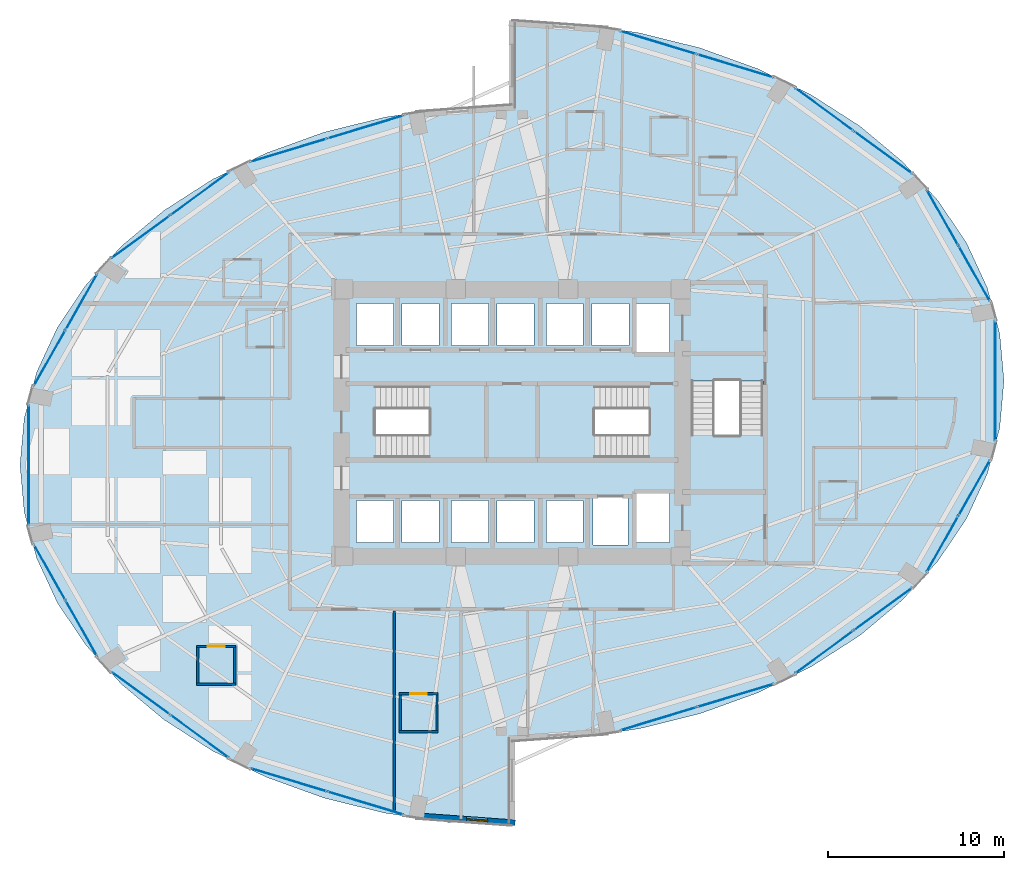
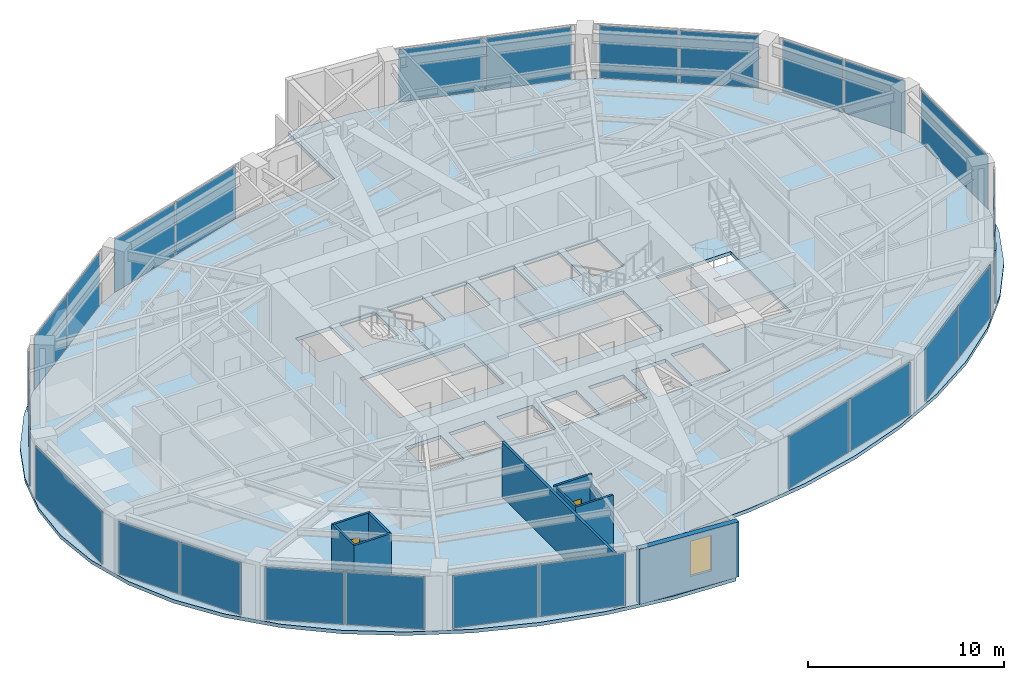
# One storey, part 19 of 25: 26 plates, 10 walls, 4 slabs, 2 doors, 1 window, 3 openings, 17 elements without a shape of their own.
"""IFC4 building model written with IfcOpenShell, lengths in metres."""

from ifc_helpers import new_model, si_unit, direction, frame, frame_2d, origin, origin_2d, place, context, subcontext, project, spatial, polyline, rectangle, outline, extrude, material, layer, layer_set, type_object, element, fill, aggregate, save


model = new_model("IFC4")

# Units and contexts
model_context = context("Model", 3, precision=1e-05, world=origin(), true_north=direction((0.0, 1.0)))
body_context = subcontext(model_context, "Body", "Model", "MODEL_VIEW")
ifc_project = project(units=[si_unit("LENGTHUNIT", "METRE"), si_unit("AREAUNIT", "SQUARE_METRE"), si_unit("VOLUMEUNIT", "CUBIC_METRE"), si_unit("PLANEANGLEUNIT", "RADIAN"), si_unit("MASSUNIT", "GRAM", prefix="KILO")], contexts=[model_context])

# Site, building, storey
site_placement = place(None, origin())
site = spatial("IfcSite", under=ifc_project, at=site_placement, CompositionType="ELEMENT")
building_placement = place(site_placement, origin())
building = spatial("IfcBuilding", under=site, at=building_placement, Name="Lazwardi Medical Tower", CompositionType="ELEMENT")
storey_placement = place(building_placement, frame((0.0, 0.0, 28.847900390625)))
storey = spatial("IfcBuildingStorey", under=building, at=storey_placement, Name="L06", CompositionType="ELEMENT", Elevation=28.847900390625)

# Curtain wall, plates
ifc_material_1 = material(Name="Anodised bronze aluminium and solar control glazing", Category="aluminium")
ifc_layer_1 = layer(ifc_material_1, 0.199951171875)
ifc_layer_set_1 = layer_set([ifc_layer_1], Name="Anodised bronze aluminium and solar control glazing")
curtain_wall_type = type_object("IfcCurtainWallType", Name="CW-SYS-02", PredefinedType="NOTDEFINED", material=ifc_layer_set_1)
curtain_wall_1_placement = place(storey_placement, origin())
curtain_wall_1 = element("IfcCurtainWall", 1, at=curtain_wall_1_placement, inside=storey, type_object=curtain_wall_type, Name="L06 Unitised bronze curtain wall CW-02", PredefinedType="NOTDEFINED")
ifc_material_2 = material(Name="Low-e bronze solar control double glazing", Category="glass")
ifc_layer_2 = layer(ifc_material_2, 0.035888671875)
ifc_layer_set_2 = layer_set([ifc_layer_2], Name="Low-e bronze solar control double glazing")
plate_type = type_object("IfcPlateType", Name="PLT-GLZ-01", PredefinedType="CURTAIN_PANEL", material=ifc_layer_set_2)
plate_1_placement = place(storey_placement, frame((44.335693359375, 11.158935546875, 0.0751953125), z_axis=(0.0, 0.0, 1.0), x_axis=(0.957058247129, 0.2898956909, 0.0)))
plate_1 = element("IfcPlate", 2, at=plate_1_placement, type_object=plate_type, Name="CW-02 panel 1.1", PredefinedType="CURTAIN_PANEL", context=body_context, shape_type="SweptSolid", body=[
    extrude(rectangle(XDim=4.49658203125, YDim=0.035888671875, at=origin_2d()), origin(), (0.0, 0.0, 1.0), 3.278076171875),
])
plate_2_placement = place(storey_placement, frame((48.7109375, 12.484130859375, 0.0751953125), z_axis=(0.0, 0.0, 1.0), x_axis=(0.957058247129, 0.2898956909, 0.0)))
plate_2 = element("IfcPlate", 3, at=plate_2_placement, type_object=plate_type, Name="CW-02 panel 2.1", PredefinedType="CURTAIN_PANEL", context=body_context, shape_type="SweptSolid", body=[
    extrude(rectangle(XDim=4.49658203125, YDim=0.035888671875, at=origin_2d()), origin(), (0.0, 0.0, 1.0), 3.278076171875),
])
aggregate(curtain_wall_1, [plate_1, plate_2])

curtain_wall_2_placement = place(storey_placement, origin())
curtain_wall_2 = element("IfcCurtainWall", 4, at=curtain_wall_2_placement, inside=storey, type_object=curtain_wall_type, Name="L06 Unitised bronze curtain wall CW-02", PredefinedType="NOTDEFINED")
plate_3_placement = place(storey_placement, frame((53.771484375, 14.957275390625, 0.0751953125), z_axis=(0.0, 0.0, 1.0), x_axis=(0.807191757663, 0.590289307341, 0.0)))
plate_3 = element("IfcPlate", 5, at=plate_3_placement, type_object=plate_type, Name="CW-02 panel 1.1", PredefinedType="CURTAIN_PANEL", context=body_context, shape_type="SweptSolid", body=[
    extrude(rectangle(XDim=4.070068359375, YDim=0.035888671875, at=origin_2d()), origin(), (0.0, 0.0, 1.0), 3.278076171875),
])
plate_4_placement = place(storey_placement, frame((57.117431640625, 17.404052734375, 0.0751953125), z_axis=(0.0, 0.0, 1.0), x_axis=(0.807191757663, 0.590289307341, 0.0)))
plate_4 = element("IfcPlate", 6, at=plate_4_placement, type_object=plate_type, Name="CW-02 panel 2.1", PredefinedType="CURTAIN_PANEL", context=body_context, shape_type="SweptSolid", body=[
    extrude(rectangle(XDim=4.070068359375, YDim=0.035888671875, at=origin_2d()), origin(), (0.0, 0.0, 1.0), 3.278076171875),
])
aggregate(curtain_wall_2, [plate_3, plate_4])

curtain_wall_3_placement = place(storey_placement, origin())
curtain_wall_3 = element("IfcCurtainWall", 7, at=curtain_wall_3_placement, inside=storey, type_object=curtain_wall_type, Name="L06 Unitised bronze curtain wall CW-02", PredefinedType="NOTDEFINED")
plate_5_placement = place(storey_placement, frame((60.5009765625, 21.10791015625, 0.0751953125), z_axis=(0.0, 0.0, 1.0), x_axis=(0.492854327303, 0.870111838823, 0.0)))
plate_5 = element("IfcPlate", 8, at=plate_5_placement, type_object=plate_type, Name="CW-02 panel 1.1", PredefinedType="CURTAIN_PANEL", context=body_context, shape_type="SweptSolid", body=[
    extrude(rectangle(XDim=3.5947265625, YDim=0.035888671875, at=origin_2d()), origin(), (0.0, 0.0, 1.0), 3.278076171875),
])
plate_6_placement = place(storey_placement, frame((62.3095703125, 24.301025390625, 0.0751953125), z_axis=(0.0, 0.0, 1.0), x_axis=(0.492854327303, 0.870111838823, 0.0)))
plate_6 = element("IfcPlate", 9, at=plate_6_placement, type_object=plate_type, Name="CW-02 panel 2.1", PredefinedType="CURTAIN_PANEL", context=body_context, shape_type="SweptSolid", body=[
    extrude(rectangle(XDim=3.5947265625, YDim=0.035888671875, at=origin_2d()), origin(), (0.0, 0.0, 1.0), 3.278076171875),
])
aggregate(curtain_wall_3, [plate_5, plate_6])

# Curtain wall, plate
curtain_wall_4_placement = place(storey_placement, origin())
curtain_wall_4 = element("IfcCurtainWall", 10, at=curtain_wall_4_placement, inside=storey, type_object=curtain_wall_type, Name="L06 Unitised bronze curtain wall CW-02", PredefinedType="NOTDEFINED")
plate_7_placement = place(storey_placement, frame((63.49853515625, 30.39990234375, 0.0751953125), z_axis=(0.0, 0.0, 1.0), x_axis=(0.0, 1.0, 0.0)))
plate_7 = element("IfcPlate", 11, at=plate_7_placement, type_object=plate_type, Name="CW-02 panel 1.1", PredefinedType="CURTAIN_PANEL", context=body_context, shape_type="SweptSolid", body=[
    extrude(rectangle(XDim=6.8330078125, YDim=0.035888671875, at=origin_2d()), origin(), (0.0, 0.0, 1.0), 3.278076171875),
])
aggregate(curtain_wall_4, [plate_7])

# Curtain wall, plates
curtain_wall_5_placement = place(storey_placement, origin())
curtain_wall_5 = element("IfcCurtainWall", 12, at=curtain_wall_5_placement, inside=storey, type_object=curtain_wall_type, Name="L06 Unitised bronze curtain wall CW-02", PredefinedType="NOTDEFINED")
plate_8_placement = place(storey_placement, frame((62.3095703125, 36.498779296875, 0.0751953125), z_axis=(0.0, 0.0, 1.0), x_axis=(-0.492854327303, 0.870111838823, 0.0)))
plate_8 = element("IfcPlate", 13, at=plate_8_placement, type_object=plate_type, Name="CW-02 panel 1.1", PredefinedType="CURTAIN_PANEL", context=body_context, shape_type="SweptSolid", body=[
    extrude(rectangle(XDim=3.5947265625, YDim=0.035888671875, at=origin_2d()), origin(), (0.0, 0.0, 1.0), 3.278076171875),
])
plate_9_placement = place(storey_placement, frame((60.5009765625, 39.69189453125, 0.0751953125), z_axis=(0.0, 0.0, 1.0), x_axis=(-0.492854327303, 0.870111838823, 0.0)))
plate_9 = element("IfcPlate", 14, at=plate_9_placement, type_object=plate_type, Name="CW-02 panel 2.1", PredefinedType="CURTAIN_PANEL", context=body_context, shape_type="SweptSolid", body=[
    extrude(rectangle(XDim=3.5947265625, YDim=0.035888671875, at=origin_2d()), origin(), (0.0, 0.0, 1.0), 3.278076171875),
])
aggregate(curtain_wall_5, [plate_8, plate_9])

curtain_wall_6_placement = place(storey_placement, origin())
curtain_wall_6 = element("IfcCurtainWall", 15, at=curtain_wall_6_placement, inside=storey, type_object=curtain_wall_type, Name="L06 Unitised bronze curtain wall CW-02", PredefinedType="NOTDEFINED")
plate_10_placement = place(storey_placement, frame((57.117431640625, 43.39599609375, 0.0751953125), z_axis=(0.0, 0.0, 1.0), x_axis=(-0.807191757663, 0.590289307341, 0.0)))
plate_10 = element("IfcPlate", 16, at=plate_10_placement, type_object=plate_type, Name="CW-02 panel 1.1", PredefinedType="CURTAIN_PANEL", context=body_context, shape_type="SweptSolid", body=[
    extrude(rectangle(XDim=4.070068359375, YDim=0.035888671875, at=origin_2d()), origin(), (0.0, 0.0, 1.0), 3.278076171875),
])
plate_11_placement = place(storey_placement, frame((53.771484375, 45.8427734375, 0.0751953125), z_axis=(0.0, 0.0, 1.0), x_axis=(-0.807191757663, 0.590289307341, 0.0)))
plate_11 = element("IfcPlate", 17, at=plate_11_placement, type_object=plate_type, Name="CW-02 panel 2.1", PredefinedType="CURTAIN_PANEL", context=body_context, shape_type="SweptSolid", body=[
    extrude(rectangle(XDim=4.070068359375, YDim=0.035888671875, at=origin_2d()), origin(), (0.0, 0.0, 1.0), 3.278076171875),
])
aggregate(curtain_wall_6, [plate_10, plate_11])

curtain_wall_7_placement = place(storey_placement, origin())
curtain_wall_7 = element("IfcCurtainWall", 18, at=curtain_wall_7_placement, inside=storey, type_object=curtain_wall_type, Name="L06 Unitised bronze curtain wall CW-02", PredefinedType="NOTDEFINED")
plate_12_placement = place(storey_placement, frame((48.7109375, 48.31591796875, 0.0751953125), z_axis=(0.0, 0.0, 1.0), x_axis=(-0.957058247129, 0.2898956909, 0.0)))
plate_12 = element("IfcPlate", 19, at=plate_12_placement, type_object=plate_type, Name="CW-02 panel 1.1", PredefinedType="CURTAIN_PANEL", context=body_context, shape_type="SweptSolid", body=[
    extrude(rectangle(XDim=4.49658203125, YDim=0.035888671875, at=origin_2d()), origin(), (0.0, 0.0, 1.0), 3.278076171875),
])
plate_13_placement = place(storey_placement, frame((44.335693359375, 49.64111328125, 0.0751953125), z_axis=(0.0, 0.0, 1.0), x_axis=(-0.957058247129, 0.2898956909, 0.0)))
plate_13 = element("IfcPlate", 20, at=plate_13_placement, type_object=plate_type, Name="CW-02 panel 2.1", PredefinedType="CURTAIN_PANEL", context=body_context, shape_type="SweptSolid", body=[
    extrude(rectangle(XDim=4.49658203125, YDim=0.035888671875, at=origin_2d()), origin(), (0.0, 0.0, 1.0), 3.278076171875),
])
aggregate(curtain_wall_7, [plate_12, plate_13])

curtain_wall_8_placement = place(storey_placement, origin())
curtain_wall_8 = element("IfcCurtainWall", 21, at=curtain_wall_8_placement, inside=storey, type_object=curtain_wall_type, Name="L06 Unitised bronze curtain wall CW-02", PredefinedType="NOTDEFINED")
plate_14_placement = place(storey_placement, frame((27.664306640625, 44.841064453125, 0.0751953125), z_axis=(0.0, 0.0, 1.0), x_axis=(-0.957058247129, -0.2898956909, 0.0)))
plate_14 = element("IfcPlate", 22, at=plate_14_placement, type_object=plate_type, Name="CW-02 panel 1.1", PredefinedType="CURTAIN_PANEL", context=body_context, shape_type="SweptSolid", body=[
    extrude(rectangle(XDim=4.49658203125, YDim=0.035888671875, at=origin_2d()), origin(), (0.0, 0.0, 1.0), 3.278076171875),
])
plate_15_placement = place(storey_placement, frame((23.2890625, 43.515869140625, 0.0751953125), z_axis=(0.0, 0.0, 1.0), x_axis=(-0.957058247129, -0.2898956909, 0.0)))
plate_15 = element("IfcPlate", 23, at=plate_15_placement, type_object=plate_type, Name="CW-02 panel 2.1", PredefinedType="CURTAIN_PANEL", context=body_context, shape_type="SweptSolid", body=[
    extrude(rectangle(XDim=4.49658203125, YDim=0.035888671875, at=origin_2d()), origin(), (0.0, 0.0, 1.0), 3.278076171875),
])
aggregate(curtain_wall_8, [plate_14, plate_15])

curtain_wall_9_placement = place(storey_placement, origin())
curtain_wall_9 = element("IfcCurtainWall", 24, at=curtain_wall_9_placement, inside=storey, type_object=curtain_wall_type, Name="L06 Unitised bronze curtain wall CW-02", PredefinedType="NOTDEFINED")
plate_16_placement = place(storey_placement, frame((18.228515625, 41.042724609375, 0.0751953125), z_axis=(0.0, 0.0, 1.0), x_axis=(-0.807191757663, -0.590289307341, 0.0)))
plate_16 = element("IfcPlate", 25, at=plate_16_placement, type_object=plate_type, Name="CW-02 panel 1.1", PredefinedType="CURTAIN_PANEL", context=body_context, shape_type="SweptSolid", body=[
    extrude(rectangle(XDim=4.070068359375, YDim=0.035888671875, at=origin_2d()), origin(), (0.0, 0.0, 1.0), 3.278076171875),
])
plate_17_placement = place(storey_placement, frame((14.882568359375, 38.595947265625, 0.0751953125), z_axis=(0.0, 0.0, 1.0), x_axis=(-0.807191757663, -0.590289307341, 0.0)))
plate_17 = element("IfcPlate", 26, at=plate_17_placement, type_object=plate_type, Name="CW-02 panel 2.1", PredefinedType="CURTAIN_PANEL", context=body_context, shape_type="SweptSolid", body=[
    extrude(rectangle(XDim=4.070068359375, YDim=0.035888671875, at=origin_2d()), origin(), (0.0, 0.0, 1.0), 3.278076171875),
])
aggregate(curtain_wall_9, [plate_16, plate_17])

curtain_wall_10_placement = place(storey_placement, origin())
curtain_wall_10 = element("IfcCurtainWall", 27, at=curtain_wall_10_placement, inside=storey, type_object=curtain_wall_type, Name="L06 Unitised bronze curtain wall CW-02", PredefinedType="NOTDEFINED")
plate_18_placement = place(storey_placement, frame((11.4990234375, 34.89208984375, 0.0751953125), z_axis=(0.0, 0.0, 1.0), x_axis=(-0.492854327303, -0.870111838823, 0.0)))
plate_18 = element("IfcPlate", 28, at=plate_18_placement, type_object=plate_type, Name="CW-02 panel 1.1", PredefinedType="CURTAIN_PANEL", context=body_context, shape_type="SweptSolid", body=[
    extrude(rectangle(XDim=3.5947265625, YDim=0.035888671875, at=origin_2d()), origin(), (0.0, 0.0, 1.0), 3.278076171875),
])
plate_19_placement = place(storey_placement, frame((9.6904296875, 31.698974609375, 0.0751953125), z_axis=(0.0, 0.0, 1.0), x_axis=(-0.492854327303, -0.870111838823, 0.0)))
plate_19 = element("IfcPlate", 29, at=plate_19_placement, type_object=plate_type, Name="CW-02 panel 2.1", PredefinedType="CURTAIN_PANEL", context=body_context, shape_type="SweptSolid", body=[
    extrude(rectangle(XDim=3.5947265625, YDim=0.035888671875, at=origin_2d()), origin(), (0.0, 0.0, 1.0), 3.278076171875),
])
aggregate(curtain_wall_10, [plate_18, plate_19])

# Curtain wall, plate
curtain_wall_11_placement = place(storey_placement, origin())
curtain_wall_11 = element("IfcCurtainWall", 30, at=curtain_wall_11_placement, inside=storey, type_object=curtain_wall_type, Name="L06 Unitised bronze curtain wall CW-02", PredefinedType="NOTDEFINED")
plate_20_placement = place(storey_placement, frame((8.50146484375, 25.60009765625, 0.0751953125), z_axis=(0.0, 0.0, 1.0), x_axis=(0.0, -1.0, 0.0)))
plate_20 = element("IfcPlate", 31, at=plate_20_placement, type_object=plate_type, Name="CW-02 panel 1.1", PredefinedType="CURTAIN_PANEL", context=body_context, shape_type="SweptSolid", body=[
    extrude(rectangle(XDim=6.8330078125, YDim=0.035888671875, at=origin_2d()), origin(), (0.0, 0.0, 1.0), 3.278076171875),
])
aggregate(curtain_wall_11, [plate_20])

# Curtain wall, plates
curtain_wall_12_placement = place(storey_placement, origin())
curtain_wall_12 = element("IfcCurtainWall", 32, at=curtain_wall_12_placement, inside=storey, type_object=curtain_wall_type, Name="L06 Unitised bronze curtain wall CW-02", PredefinedType="NOTDEFINED")
plate_21_placement = place(storey_placement, frame((9.6904296875, 19.501220703125, 0.0751953125), z_axis=(0.0, 0.0, 1.0), x_axis=(0.492854327303, -0.870111838823, 0.0)))
plate_21 = element("IfcPlate", 33, at=plate_21_placement, type_object=plate_type, Name="CW-02 panel 1.1", PredefinedType="CURTAIN_PANEL", context=body_context, shape_type="SweptSolid", body=[
    extrude(rectangle(XDim=3.5947265625, YDim=0.035888671875, at=origin_2d()), origin(), (0.0, 0.0, 1.0), 3.278076171875),
])
plate_22_placement = place(storey_placement, frame((11.4990234375, 16.30810546875, 0.0751953125), z_axis=(0.0, 0.0, 1.0), x_axis=(0.492854327303, -0.870111838823, 0.0)))
plate_22 = element("IfcPlate", 34, at=plate_22_placement, type_object=plate_type, Name="CW-02 panel 2.1", PredefinedType="CURTAIN_PANEL", context=body_context, shape_type="SweptSolid", body=[
    extrude(rectangle(XDim=3.5947265625, YDim=0.035888671875, at=origin_2d()), origin(), (0.0, 0.0, 1.0), 3.278076171875),
])
aggregate(curtain_wall_12, [plate_21, plate_22])

curtain_wall_13_placement = place(storey_placement, origin())
curtain_wall_13 = element("IfcCurtainWall", 35, at=curtain_wall_13_placement, inside=storey, type_object=curtain_wall_type, Name="L06 Unitised bronze curtain wall CW-02", PredefinedType="NOTDEFINED")
plate_23_placement = place(storey_placement, frame((14.882568359375, 12.60400390625, 0.0751953125), z_axis=(0.0, 0.0, 1.0), x_axis=(0.807191757663, -0.590289307341, 0.0)))
plate_23 = element("IfcPlate", 36, at=plate_23_placement, type_object=plate_type, Name="CW-02 panel 1.1", PredefinedType="CURTAIN_PANEL", context=body_context, shape_type="SweptSolid", body=[
    extrude(rectangle(XDim=4.070068359375, YDim=0.035888671875, at=origin_2d()), origin(), (0.0, 0.0, 1.0), 3.278076171875),
])
plate_24_placement = place(storey_placement, frame((18.228515625, 10.1572265625, 0.0751953125), z_axis=(0.0, 0.0, 1.0), x_axis=(0.807191757663, -0.590289307341, 0.0)))
plate_24 = element("IfcPlate", 37, at=plate_24_placement, type_object=plate_type, Name="CW-02 panel 2.1", PredefinedType="CURTAIN_PANEL", context=body_context, shape_type="SweptSolid", body=[
    extrude(rectangle(XDim=4.070068359375, YDim=0.035888671875, at=origin_2d()), origin(), (0.0, 0.0, 1.0), 3.278076171875),
])
aggregate(curtain_wall_13, [plate_23, plate_24])

curtain_wall_14_placement = place(storey_placement, origin())
curtain_wall_14 = element("IfcCurtainWall", 38, at=curtain_wall_14_placement, inside=storey, type_object=curtain_wall_type, Name="L06 Unitised bronze curtain wall CW-02", PredefinedType="NOTDEFINED")
plate_25_placement = place(storey_placement, frame((23.2890625, 7.68408203125, 0.0751953125), z_axis=(0.0, 0.0, 1.0), x_axis=(0.957058247129, -0.2898956909, 0.0)))
plate_25 = element("IfcPlate", 39, at=plate_25_placement, type_object=plate_type, Name="CW-02 panel 1.1", PredefinedType="CURTAIN_PANEL", context=body_context, shape_type="SweptSolid", body=[
    extrude(rectangle(XDim=4.49658203125, YDim=0.035888671875, at=origin_2d()), origin(), (0.0, 0.0, 1.0), 3.278076171875),
])
plate_26_placement = place(storey_placement, frame((27.664306640625, 6.35888671875, 0.0751953125), z_axis=(0.0, 0.0, 1.0), x_axis=(0.957058247129, -0.2898956909, 0.0)))
plate_26 = element("IfcPlate", 40, at=plate_26_placement, type_object=plate_type, Name="CW-02 panel 2.1", PredefinedType="CURTAIN_PANEL", context=body_context, shape_type="SweptSolid", body=[
    extrude(rectangle(XDim=4.49658203125, YDim=0.035888671875, at=origin_2d()), origin(), (0.0, 0.0, 1.0), 3.278076171875),
])
aggregate(curtain_wall_14, [plate_25, plate_26])

# Stair, slab
ifc_material_3 = material(Name="Concrete C45/55", Category="concrete")
stair_type = type_object("IfcStairType", Name="STR-WRD", PredefinedType="HALF_TURN_STAIR", material=ifc_material_3)
stair_1_placement = place(storey_placement, origin())
stair_1 = element("IfcStair", 41, at=stair_1_placement, inside=storey, type_object=stair_type, Name="L06 Protected Exit Stair ST1", PredefinedType="HALF_TURN_STAIR")
ifc_layer_3 = layer(ifc_material_3, 0.199951171875)
ifc_layer_set_3 = layer_set([ifc_layer_3], Name="Concrete C45/55")
slab_type_1 = type_object("IfcSlabType", Name="SLB-LND-190", PredefinedType="LANDING", material=ifc_layer_set_3)
slab_1_placement = place(storey_placement, frame((0.0, 0.0, 1.6240234375)))
slab_1 = element("IfcSlab", 42, at=slab_1_placement, type_object=slab_type_1, Name="ST1 landing 1", PredefinedType="LANDING", context=body_context, shape_type="SweptSolid", body=[
    extrude(outline(polyline([(31.27490234375, 25.840087890625), (34.580078125, 25.840087890625), (34.580078125, 30.280029296875), (31.27490234375, 30.280029296875), (31.27490234375, 25.840087890625)])), origin(), (0.0, 0.0, 1.0), 0.2001953125),
])
aggregate(stair_1, [slab_1])

stair_2_placement = place(storey_placement, origin())
stair_2 = element("IfcStair", 43, at=stair_2_placement, inside=storey, type_object=stair_type, Name="L06 Protected Exit Stair ST2", PredefinedType="HALF_TURN_STAIR")
slab_2_placement = place(storey_placement, frame((0.0, 0.0, 1.6240234375)))
slab_2 = element("IfcSlab", 44, at=slab_2_placement, type_object=slab_type_1, Name="ST2 landing 1", PredefinedType="LANDING", context=body_context, shape_type="SweptSolid", body=[
    extrude(outline(polyline([(40.72509765625, 30.280029296875), (37.419921875, 30.280029296875), (37.419921875, 25.840087890625), (40.72509765625, 25.840087890625), (40.72509765625, 30.280029296875)])), origin(), (0.0, 0.0, 1.0), 0.2001953125),
])
aggregate(stair_2, [slab_2])

stair_3_placement = place(storey_placement, origin())
stair_3 = element("IfcStair", 45, at=stair_3_placement, inside=storey, type_object=stair_type, Name="L06 Protected Exit Stair ST3", PredefinedType="HALF_TURN_STAIR")
slab_3_placement = place(storey_placement, frame((0.0, 0.0, 1.6240234375)))
slab_3 = element("IfcSlab", 46, at=slab_3_placement, type_object=slab_type_1, Name="ST3 landing 1", PredefinedType="LANDING", context=body_context, shape_type="SweptSolid", body=[
    extrude(outline(polyline([(45.860107421875, 27.324951171875), (45.860107421875, 24.02001953125), (50.4599609375, 24.02001953125), (50.4599609375, 27.324951171875), (45.860107421875, 27.324951171875)])), origin(), (0.0, 0.0, 1.0), 0.2001953125),
])
aggregate(stair_3, [slab_3])

# Slab
ifc_material_4 = material(Name="Concrete C50/60", Category="concrete")
ifc_layer_4 = layer(ifc_material_4, 0.219970703125)
ifc_layer_set_4 = layer_set([ifc_layer_4], Name="Concrete C50/60")
slab_type_2 = type_object("IfcSlabType", Name="SLB-WRD-220", PredefinedType="FLOOR", material=ifc_layer_set_4)
slab_4_placement = place(storey_placement, frame((0.0, 0.0, -0.219970703125)))
element("IfcSlab", 47, at=slab_4_placement, inside=storey, type_object=slab_type_2, Name="Structural floor slab SF-03 L06", PredefinedType="FLOOR", context=body_context, shape_type="SweptSolid", body=[
    extrude(outline(polyline([(10.13134765625, 33.445068359375), (8.9541015625, 30.90576171875), (8.239501953125, 28.27587890625), (8.0, 25.60009765625), (8.239501953125, 22.92431640625), (8.9541015625, 20.294189453125), (10.13134765625, 17.7548828125), (11.751220703125, 15.35009765625), (13.7861328125, 13.120361328125), (16.200927734375, 11.104248046875), (18.95458984375, 9.336181640625), (22.0, 7.846435546875), (25.284912109375, 6.660400390625), (28.753173828125, 5.798583984375), (32.34521484375, 5.275390625), (36.0, 5.10009765625), (36.0, 9.89990234375), (39.65478515625, 10.075439453125), (43.246826171875, 10.598388671875), (46.715087890625, 11.46044921875), (50.0, 12.646484375), (53.04541015625, 14.13623046875), (55.799072265625, 15.904296875), (58.2138671875, 17.92041015625), (60.248779296875, 20.14990234375), (61.86865234375, 22.554931640625), (63.0458984375, 25.09423828125), (63.760498046875, 27.72412109375), (64.0, 30.39990234375), (63.760498046875, 33.07568359375), (63.0458984375, 35.705810546875), (61.86865234375, 38.2451171875), (60.248779296875, 40.64990234375), (58.2138671875, 42.879638671875), (55.799072265625, 44.895751953125), (53.04541015625, 46.663818359375), (50.0, 48.153564453125), (46.715087890625, 49.339599609375), (43.246826171875, 50.201416015625), (39.65478515625, 50.724609375), (36.0, 50.89990234375), (36.0, 46.10009765625), (32.34521484375, 45.924560546875), (28.753173828125, 45.401611328125), (25.284912109375, 44.53955078125), (22.0, 43.353515625), (18.95458984375, 41.86376953125), (16.200927734375, 40.095703125), (13.7861328125, 38.07958984375), (11.751220703125, 35.85009765625), (10.13134765625, 33.445068359375)]), holes=[polyline([(28.22509765625, 26.02001953125), (28.22509765625, 30.10009765625), (34.39990234375, 30.10009765625), (34.39990234375, 26.02001953125), (28.22509765625, 26.02001953125)]), polyline([(37.60009765625, 30.10009765625), (43.77490234375, 30.10009765625), (43.77490234375, 26.02001953125), (37.60009765625, 26.02001953125), (37.60009765625, 30.10009765625)]), polyline([(50.280029296875, 30.375), (50.280029296875, 24.179931640625), (45.840087890625, 24.179931640625), (45.840087890625, 30.375), (50.280029296875, 30.375)]), polyline([(29.25, 32.39990234375), (27.14990234375, 32.39990234375), (27.14990234375, 34.800048828125), (29.25, 34.800048828125), (29.25, 32.39990234375)]), polyline([(29.75, 32.39990234375), (29.75, 34.800048828125), (31.85009765625, 34.800048828125), (31.85009765625, 32.39990234375), (29.75, 32.39990234375)]), polyline([(27.14990234375, 23.60009765625), (29.25, 23.60009765625), (29.25, 21.199951171875), (27.14990234375, 21.199951171875), (27.14990234375, 23.60009765625)]), polyline([(31.85009765625, 23.60009765625), (31.85009765625, 21.199951171875), (29.75, 21.199951171875), (29.75, 23.60009765625), (31.85009765625, 23.60009765625)]), polyline([(34.64990234375, 32.39990234375), (32.550048828125, 32.39990234375), (32.550048828125, 34.800048828125), (34.64990234375, 34.800048828125), (34.64990234375, 32.39990234375)]), polyline([(35.14990234375, 32.39990234375), (35.14990234375, 34.800048828125), (37.25, 34.800048828125), (37.25, 32.39990234375), (35.14990234375, 32.39990234375)]), polyline([(32.550048828125, 23.60009765625), (34.64990234375, 23.60009765625), (34.64990234375, 21.199951171875), (32.550048828125, 21.199951171875), (32.550048828125, 23.60009765625)]), polyline([(37.25, 23.60009765625), (37.25, 21.199951171875), (35.14990234375, 21.199951171875), (35.14990234375, 23.60009765625), (37.25, 23.60009765625)]), polyline([(40.050048828125, 32.39990234375), (37.949951171875, 32.39990234375), (37.949951171875, 34.800048828125), (40.050048828125, 34.800048828125), (40.050048828125, 32.39990234375)]), polyline([(40.550048828125, 32.39990234375), (40.550048828125, 34.800048828125), (42.64990234375, 34.800048828125), (42.64990234375, 32.39990234375), (40.550048828125, 32.39990234375)]), polyline([(37.949951171875, 23.60009765625), (40.050048828125, 23.60009765625), (40.050048828125, 21.199951171875), (37.949951171875, 21.199951171875), (37.949951171875, 23.60009765625)]), polyline([(44.949951171875, 34.800048828125), (44.949951171875, 32.0), (43.050048828125, 32.0), (43.050048828125, 34.800048828125), (44.949951171875, 34.800048828125)]), polyline([(44.949951171875, 21.199951171875), (43.050048828125, 21.199951171875), (43.050048828125, 24.0), (44.949951171875, 24.0), (44.949951171875, 21.199951171875)]), polyline([(40.60009765625, 21.050048828125), (40.60009765625, 23.75), (42.60009765625, 23.75), (42.60009765625, 21.050048828125), (40.60009765625, 21.050048828125)])]), origin(), (0.0, 0.0, 1.0), 0.219970703125),
])

# Wall, opening, door
ifc_material_5 = material(Name="Moisture-resistant gypsum board partition")
ifc_layer_5 = layer(ifc_material_5, 0.125)
ifc_layer_set_5 = layer_set([ifc_layer_5], Name="Moisture-resistant gypsum board partition")
wall_type_1 = type_object("IfcWallType", Name="WL-ENS-125", PredefinedType="PARTITIONING", material=ifc_layer_set_5)
wall_1_placement = place(storey_placement, frame((18.057861328125, 15.285400390625, 0.0), z_axis=(0.0, 0.0, 1.0), x_axis=(1.0, 0.0, 0.0)))
wall_1 = element("IfcWall", 48, at=wall_1_placement, inside=storey, type_object=wall_type_1, Name="L06 En-suite wall 1N", PredefinedType="PARTITIONING", context=body_context, shape_type="SweptSolid", body=[
    extrude(rectangle(XDim=2.219970703125, YDim=0.125, at=frame_2d((1.10986328125, 0.0))), origin(), (0.0, 0.0, 1.0), 3.427978515625),
])
opening_1_placement = place(wall_1_placement, frame((0.635009765625, 0.0, 0.0)))
opening_1 = element("IfcOpeningElement", 49, at=opening_1_placement, cuts=wall_1, Name="Opening D-L06-002", PredefinedType="OPENING", context=body_context, shape_type="SweptSolid", body=[
    extrude(rectangle(XDim=0.949951171875, YDim=2.10009765625, at=frame_2d((0.47509765625, 1.050048828125))), frame((0.0, 0.072509765625, 0.0), z_axis=(0.0, -1.0, 0.0), x_axis=(1.0, 0.0, 0.0)), (0.0, 0.0, 1.0), 0.14501953125),
])
ifc_material_6 = material(Name="Moisture-resistant laminate door leaf")
door_type = type_object("IfcDoorType", Name="DR-ENS-950", OperationType="NOTDEFINED", PredefinedType="DOOR", material=ifc_material_6)
door_1_placement = place(opening_1_placement, origin())
door_1 = element("IfcDoor", 50, at=door_1_placement, inside=storey, type_object=door_type, Name="L06 En-suite Door 01", OperationType="SINGLE_SWING_RIGHT", OverallHeight=2.10009765625, OverallWidth=0.949951171875, PredefinedType="DOOR", context=body_context, shape_type="SweptSolid", body=[
    extrude(rectangle(XDim=0.949951171875, YDim=2.10009765625, at=frame_2d((0.47509765625, 1.050048828125))), frame((0.0, 0.02490234375, 0.0), z_axis=(0.0, -1.0, 0.0), x_axis=(1.0, 0.0, 0.0)), (0.0, 0.0, 1.0), 0.050048828125),
])
fill(opening_1, door_1)

# Walls
wall_2_placement = place(storey_placement, frame((18.057861328125, 13.12548828125, 0.0), z_axis=(0.0, 0.0, 1.0), x_axis=(1.0, 0.0, 0.0)))
element("IfcWall", 51, at=wall_2_placement, inside=storey, type_object=wall_type_1, Name="L06 En-suite wall 1S", PredefinedType="PARTITIONING", context=body_context, shape_type="SweptSolid", body=[
    extrude(rectangle(XDim=2.219970703125, YDim=0.125, at=frame_2d((1.10986328125, 0.0))), origin(), (0.0, 0.0, 1.0), 3.427978515625),
])
for number, where, z_axis, x_axis, name in (
    (52, (20.218017578125, 13.0654296875, 0.0), (0.0, 0.0, 1.0), (0.0, 1.0, 0.0), "L06 En-suite wall 1E"),
    (53, (18.117919921875, 13.0654296875, 0.0), (0.0, 0.0, 1.0), (0.0, 1.0, 0.0), "L06 En-suite wall 1W"),
):
    element("IfcWall", number, at=place(storey_placement, frame(where, z_axis=z_axis, x_axis=x_axis)), inside=storey, type_object=wall_type_1, Name=name, PredefinedType="PARTITIONING", context=body_context, shape_type="SweptSolid", body=[
        extrude(rectangle(XDim=2.280029296875, YDim=0.125, at=frame_2d((1.14013671875, 0.0))), origin(), (0.0, 0.0, 1.0), 3.427978515625),
    ])

# Wall, opening, door
wall_3_placement = place(storey_placement, frame((29.574951171875, 12.58935546875, 0.0), z_axis=(0.0, 0.0, 1.0), x_axis=(1.0, 0.0, 0.0)))
wall_3 = element("IfcWall", 54, at=wall_3_placement, inside=storey, type_object=wall_type_1, Name="L06 En-suite wall 2N", PredefinedType="PARTITIONING", context=body_context, shape_type="SweptSolid", body=[
    extrude(rectangle(XDim=2.219970703125, YDim=0.125, at=frame_2d((1.10986328125, 0.0))), origin(), (0.0, 0.0, 1.0), 3.427978515625),
])
opening_2_placement = place(wall_3_placement, frame((0.635009765625, 0.0, 0.0)))
opening_2 = element("IfcOpeningElement", 55, at=opening_2_placement, cuts=wall_3, Name="Opening D-L06-003", PredefinedType="OPENING", context=body_context, shape_type="SweptSolid", body=[
    extrude(rectangle(XDim=0.949951171875, YDim=2.10009765625, at=frame_2d((0.47509765625, 1.050048828125))), frame((0.0, 0.072509765625, 0.0), z_axis=(0.0, -1.0, 0.0), x_axis=(1.0, 0.0, 0.0)), (0.0, 0.0, 1.0), 0.14501953125),
])
door_2_placement = place(opening_2_placement, origin())
door_2 = element("IfcDoor", 56, at=door_2_placement, inside=storey, type_object=door_type, Name="L06 En-suite Door 02", OperationType="SINGLE_SWING_RIGHT", OverallHeight=2.10009765625, OverallWidth=0.949951171875, PredefinedType="DOOR", context=body_context, shape_type="SweptSolid", body=[
    extrude(rectangle(XDim=0.949951171875, YDim=2.10009765625, at=frame_2d((0.47509765625, 1.050048828125))), frame((0.0, 0.02490234375, 0.0), z_axis=(0.0, -1.0, 0.0), x_axis=(1.0, 0.0, 0.0)), (0.0, 0.0, 1.0), 0.050048828125),
])
fill(opening_2, door_2)

# Walls
wall_4_placement = place(storey_placement, frame((29.574951171875, 10.42919921875, 0.0), z_axis=(0.0, 0.0, 1.0), x_axis=(1.0, 0.0, 0.0)))
element("IfcWall", 57, at=wall_4_placement, inside=storey, type_object=wall_type_1, Name="L06 En-suite wall 2S", PredefinedType="PARTITIONING", context=body_context, shape_type="SweptSolid", body=[
    extrude(rectangle(XDim=2.219970703125, YDim=0.125, at=frame_2d((1.10986328125, 0.0))), origin(), (0.0, 0.0, 1.0), 3.427978515625),
])
wall_5_placement = place(storey_placement, frame((31.735107421875, 10.369384765625, 0.0), z_axis=(0.0, 0.0, 1.0), x_axis=(0.0, 1.0, 0.0)))
element("IfcWall", 58, at=wall_5_placement, inside=storey, type_object=wall_type_1, Name="L06 En-suite wall 2E", PredefinedType="PARTITIONING", context=body_context, shape_type="SweptSolid", body=[
    extrude(rectangle(XDim=2.280029296875, YDim=0.125, at=frame_2d((1.14013671875, 0.0))), origin(), (0.0, 0.0, 1.0), 2.81298828125),
])
wall_6_placement = place(storey_placement, frame((29.635009765625, 10.369384765625, 0.0), z_axis=(0.0, 0.0, 1.0), x_axis=(0.0, 1.0, 0.0)))
element("IfcWall", 59, at=wall_6_placement, inside=storey, type_object=wall_type_1, Name="L06 En-suite wall 2W", PredefinedType="PARTITIONING", context=body_context, shape_type="SweptSolid", body=[
    extrude(rectangle(XDim=2.280029296875, YDim=0.125, at=frame_2d((1.14013671875, 0.0))), origin(), (0.0, 0.0, 1.0), 3.427978515625),
])

# Wall, opening, window
ifc_material_7 = material(Name="Precast concrete C45/55", Category="concrete")
ifc_layer_6 = layer(ifc_material_7, 0.320068359375)
ifc_layer_set_6 = layer_set([ifc_layer_6], Name="Precast concrete C45/55")
wall_type_2 = type_object("IfcWallType", Name="WL-IWAN-320", PredefinedType="SOLIDWALL", material=ifc_layer_set_6)
wall_7_placement = place(storey_placement, frame((30.518798828125, 5.654296875, 0.0), z_axis=(0.0, 0.0, 1.0), x_axis=(0.997421878774, -0.071760683825, 0.0)))
wall_7 = element("IfcWall", 60, at=wall_7_placement, inside=storey, type_object=wall_type_2, Name="L06 Iwan Portal Return Wall SW_ret", PredefinedType="SOLIDWALL", context=body_context, shape_type="SweptSolid", body=[
    extrude(rectangle(XDim=5.6748046875, YDim=0.320068359375, at=frame_2d((2.83740234375, 0.0))), origin(), (0.0, 0.0, 1.0), 3.427978515625),
])
opening_3_placement = place(wall_7_placement, frame((2.902587890625, 0.0, 0.85009765625)))
opening_3 = element("IfcOpeningElement", 61, at=opening_3_placement, cuts=wall_7, Name="Opening WN-01", PredefinedType="OPENING", context=body_context, shape_type="SweptSolid", body=[
    extrude(rectangle(XDim=1.199951171875, YDim=2.199951171875, at=frame_2d((0.60009765625, 1.10009765625))), frame((0.0, 0.169921875, 0.0), z_axis=(0.0, -1.0, 0.0), x_axis=(1.0, 0.0, 0.0)), (0.0, 0.0, 1.0), 0.340087890625),
])
window_type = type_object("IfcWindowType", Name="WIN-IW-1200", PartitioningType="SINGLE_PANEL", PredefinedType="WINDOW", material=ifc_material_2)
window_placement = place(opening_3_placement, origin())
window = element("IfcWindow", 62, at=window_placement, inside=storey, type_object=window_type, Name="L06 Iwan Slot Window SW_ret", OverallHeight=2.199951171875, OverallWidth=1.199951171875, PartitioningType="SINGLE_PANEL", PredefinedType="WINDOW", context=body_context, shape_type="SweptSolid", body=[
    extrude(rectangle(XDim=1.199951171875, YDim=2.199951171875, at=frame_2d((0.60009765625, 1.10009765625))), frame((0.0, 0.030029296875, 0.0), z_axis=(0.0, -1.0, 0.0), x_axis=(1.0, 0.0, 0.0)), (0.0, 0.0, 1.0), 0.06005859375),
])
fill(opening_3, window)

# Wall
ifc_material_8 = material(Name="Acoustic gypsum board partition")
ifc_layer_7 = layer(ifc_material_8, 0.14990234375)
ifc_layer_set_7 = layer_set([ifc_layer_7], Name="Acoustic gypsum board partition")
wall_type_3 = type_object("IfcWallType", Name="WL-WRD-150", PredefinedType="PARTITIONING", material=ifc_layer_set_7)
wall_8_placement = place(storey_placement, frame((29.300048828125, 5.875732421875, 0.0), z_axis=(0.0, 0.0, 1.0), x_axis=(0.0, 1.0, 0.0)))
element("IfcWall", 63, at=wall_8_placement, inside=storey, type_object=wall_type_3, Name="L06 Room partition 10", PredefinedType="PARTITIONING", context=body_context, shape_type="SweptSolid", body=[
    extrude(rectangle(XDim=11.434326171875, YDim=0.14990234375, at=frame_2d((5.71728515625, 0.0))), origin(), (0.0, 0.0, 1.0), 3.427978515625),
])

save(model, "model.ifc")
